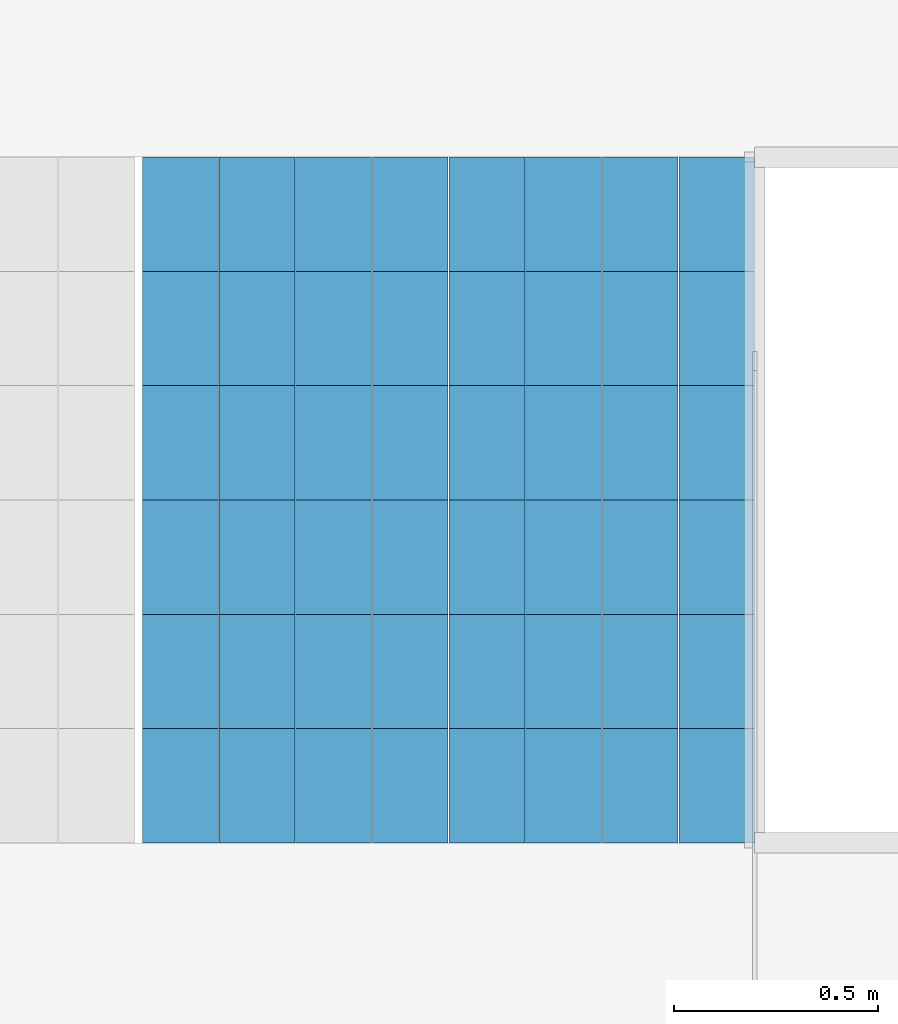
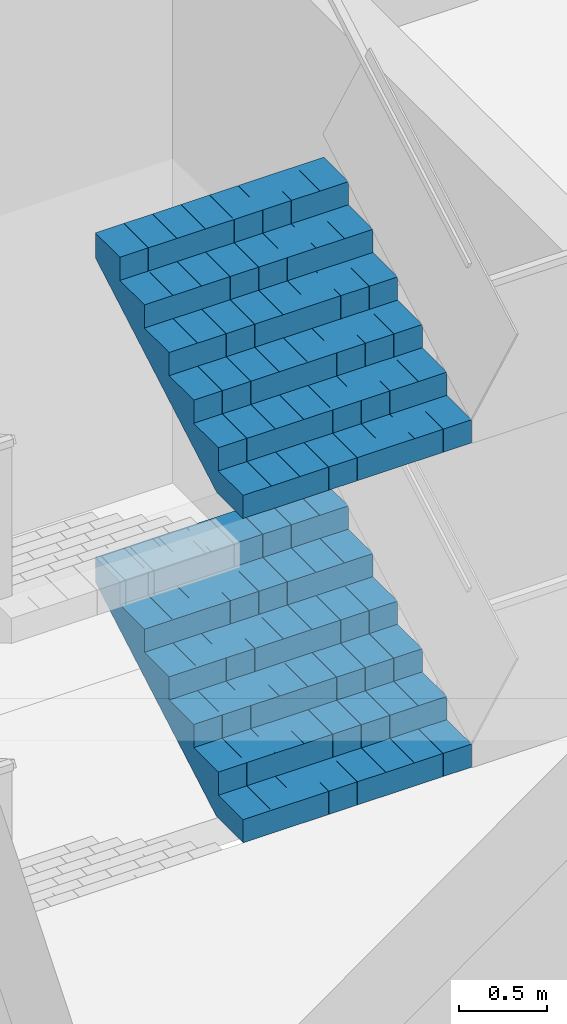
# One storey, part 24 of 27: 2 stair flights, 1 element without a shape of its own.
"""IFC4 building model written with IfcOpenShell, lengths in metres."""

from ifc_helpers import new_model, si_unit, direction, frame, origin, place, context, subcontext, project, spatial, polyline, outline, extrude, material, type_object, element, aggregate, save


model = new_model("IFC4")

# Units and contexts
model_context = context("Model", 3, precision=1e-05, world=origin(), true_north=direction((0.0, 1.0)))
body_context = subcontext(model_context, "Body", "Model", "MODEL_VIEW")
ifc_project = project(units=[si_unit("LENGTHUNIT", "METRE"), si_unit("AREAUNIT", "SQUARE_METRE"), si_unit("VOLUMEUNIT", "CUBIC_METRE"), si_unit("PLANEANGLEUNIT", "RADIAN"), si_unit("MASSUNIT", "GRAM", prefix="KILO")], contexts=[model_context])

# Site, building, storey
site_placement = place(None, origin())
site = spatial("IfcSite", under=ifc_project, at=site_placement, CompositionType="ELEMENT")
building_placement = place(site_placement, origin())
building = spatial("IfcBuilding", under=site, at=building_placement, Name="Kolab Exchange Tower", CompositionType="ELEMENT")
storey_placement = place(building_placement, frame((0.0, 0.0, 109.39990234375)))
storey = spatial("IfcBuildingStorey", under=building, at=storey_placement, Name="L21", CompositionType="ELEMENT", Elevation=109.39990234375)

# Stair, stair flights
ifc_material = material(Name="Concrete C50/60", Category="concrete")
stair_type = type_object("IfcStairType", Name="STAIR ST4 RISER 160.7", PredefinedType="DOUBLE_RETURN_STAIR", material=ifc_material)
stair_placement = place(storey_placement, origin())
stair = element("IfcStair", 1, at=stair_placement, inside=storey, type_object=stair_type, Name="Stair 4", PredefinedType="DOUBLE_RETURN_STAIR")
stair_flight_type = type_object("IfcStairFlightType", Name="STAIR FLIGHT 1500 RISER 160.7", PredefinedType="STRAIGHT", material=ifc_material)
stair_flight_1_placement = place(storey_placement, frame((19.9599609375, -1.030029296875, 1.125), z_axis=(0.0, 0.0, 1.0), x_axis=(0.0, 1.0, 0.0)))
stair_flight_1 = element("IfcStairFlight", 2, at=stair_flight_1_placement, type_object=stair_flight_type, Name="ST4 flight 2", NumberOfRisers=7, NumberOfTreads=6, PredefinedType="STRAIGHT", RiserHeight=0.160714286, TreadLength=0.28, context=body_context, shape_type="SweptSolid", body=[
    extrude(outline(polyline([(0.0, 0.0), (0.0, 0.16064453125), (0.280029296875, 0.16064453125), (0.280029296875, 0.321533203125), (0.56005859375, 0.321533203125), (0.56005859375, 0.482177734375), (0.840087890625, 0.482177734375), (0.840087890625, 0.642822265625), (1.1201171875, 0.642822265625), (1.1201171875, 0.803466796875), (1.39990234375, 0.803466796875), (1.39990234375, 0.96435546875), (1.679931640625, 0.96435546875), (1.679931640625, 1.125), (1.679931640625, 0.79150390625), (0.301025390625, 0.0), (0.0, 0.0)])), frame((0.0, 0.75, 0.0), z_axis=(0.0, -1.0, 0.0), x_axis=(1.0, 0.0, 0.0)), (0.0, 0.0, 1.0), 0.185791015625),
    extrude(outline(polyline([(0.0, 0.0), (0.0, 0.16064453125), (0.280029296875, 0.16064453125), (0.280029296875, 0.321533203125), (0.56005859375, 0.321533203125), (0.56005859375, 0.482177734375), (0.840087890625, 0.482177734375), (0.840087890625, 0.642822265625), (1.1201171875, 0.642822265625), (1.1201171875, 0.803466796875), (1.39990234375, 0.803466796875), (1.39990234375, 0.96435546875), (1.679931640625, 0.96435546875), (1.679931640625, 1.125), (1.679931640625, 0.79150390625), (0.301025390625, 0.0), (0.0, 0.0)])), frame((0.0, 0.562255859375, 0.0), z_axis=(0.0, -1.0, 0.0), x_axis=(1.0, 0.0, 0.0)), (0.0, 0.0, 1.0), 0.185791015625),
    extrude(outline(polyline([(0.0, 0.0), (0.0, 0.16064453125), (0.280029296875, 0.16064453125), (0.280029296875, 0.321533203125), (0.56005859375, 0.321533203125), (0.56005859375, 0.482177734375), (0.840087890625, 0.482177734375), (0.840087890625, 0.642822265625), (1.1201171875, 0.642822265625), (1.1201171875, 0.803466796875), (1.39990234375, 0.803466796875), (1.39990234375, 0.96435546875), (1.679931640625, 0.96435546875), (1.679931640625, 1.125), (1.679931640625, 0.79150390625), (0.301025390625, 0.0), (0.0, 0.0)])), frame((0.0, 0.37451171875, 0.0), z_axis=(0.0, -1.0, 0.0), x_axis=(1.0, 0.0, 0.0)), (0.0, 0.0, 1.0), 0.185791015625),
    extrude(outline(polyline([(0.0, 0.0), (0.0, 0.16064453125), (0.280029296875, 0.16064453125), (0.280029296875, 0.321533203125), (0.56005859375, 0.321533203125), (0.56005859375, 0.482177734375), (0.840087890625, 0.482177734375), (0.840087890625, 0.642822265625), (1.1201171875, 0.642822265625), (1.1201171875, 0.803466796875), (1.39990234375, 0.803466796875), (1.39990234375, 0.96435546875), (1.679931640625, 0.96435546875), (1.679931640625, 1.125), (1.679931640625, 0.79150390625), (0.301025390625, 0.0), (0.0, 0.0)])), frame((0.0, 0.186767578125, 0.0), z_axis=(0.0, -1.0, 0.0), x_axis=(1.0, 0.0, 0.0)), (0.0, 0.0, 1.0), 0.185791015625),
    extrude(outline(polyline([(0.0, 0.0), (0.0, 0.16064453125), (0.280029296875, 0.16064453125), (0.280029296875, 0.321533203125), (0.56005859375, 0.321533203125), (0.56005859375, 0.482177734375), (0.840087890625, 0.482177734375), (0.840087890625, 0.642822265625), (1.1201171875, 0.642822265625), (1.1201171875, 0.803466796875), (1.39990234375, 0.803466796875), (1.39990234375, 0.96435546875), (1.679931640625, 0.96435546875), (1.679931640625, 1.125), (1.679931640625, 0.79150390625), (0.301025390625, 0.0), (0.0, 0.0)])), frame((0.0, -0.0009765625, 0.0), z_axis=(0.0, -1.0, 0.0), x_axis=(1.0, 0.0, 0.0)), (0.0, 0.0, 1.0), 0.185791015625),
    extrude(outline(polyline([(0.0, 0.0), (0.0, 0.16064453125), (0.280029296875, 0.16064453125), (0.280029296875, 0.321533203125), (0.56005859375, 0.321533203125), (0.56005859375, 0.482177734375), (0.840087890625, 0.482177734375), (0.840087890625, 0.642822265625), (1.1201171875, 0.642822265625), (1.1201171875, 0.803466796875), (1.39990234375, 0.803466796875), (1.39990234375, 0.96435546875), (1.679931640625, 0.96435546875), (1.679931640625, 1.125), (1.679931640625, 0.79150390625), (0.301025390625, 0.0), (0.0, 0.0)])), frame((0.0, -0.188720703125, 0.0), z_axis=(0.0, -1.0, 0.0), x_axis=(1.0, 0.0, 0.0)), (0.0, 0.0, 1.0), 0.185791015625),
    extrude(outline(polyline([(0.0, 0.0), (0.0, 0.16064453125), (0.280029296875, 0.16064453125), (0.280029296875, 0.321533203125), (0.56005859375, 0.321533203125), (0.56005859375, 0.482177734375), (0.840087890625, 0.482177734375), (0.840087890625, 0.642822265625), (1.1201171875, 0.642822265625), (1.1201171875, 0.803466796875), (1.39990234375, 0.803466796875), (1.39990234375, 0.96435546875), (1.679931640625, 0.96435546875), (1.679931640625, 1.125), (1.679931640625, 0.79150390625), (0.301025390625, 0.0), (0.0, 0.0)])), frame((0.0, -0.37646484375, 0.0), z_axis=(0.0, -1.0, 0.0), x_axis=(1.0, 0.0, 0.0)), (0.0, 0.0, 1.0), 0.185791015625),
    extrude(outline(polyline([(0.0, 0.0), (0.0, 0.16064453125), (0.280029296875, 0.16064453125), (0.280029296875, 0.321533203125), (0.56005859375, 0.321533203125), (0.56005859375, 0.482177734375), (0.840087890625, 0.482177734375), (0.840087890625, 0.642822265625), (1.1201171875, 0.642822265625), (1.1201171875, 0.803466796875), (1.39990234375, 0.803466796875), (1.39990234375, 0.96435546875), (1.679931640625, 0.96435546875), (1.679931640625, 1.125), (1.679931640625, 0.79150390625), (0.301025390625, 0.0), (0.0, 0.0)])), frame((0.0, -0.564208984375, 0.0), z_axis=(0.0, -1.0, 0.0), x_axis=(1.0, 0.0, 0.0)), (0.0, 0.0, 1.0), 0.185791015625),
])
stair_flight_2_placement = place(storey_placement, frame((19.9599609375, -1.030029296875, 3.375), z_axis=(0.0, 0.0, 1.0), x_axis=(0.0, 1.0, 0.0)))
stair_flight_2 = element("IfcStairFlight", 3, at=stair_flight_2_placement, type_object=stair_flight_type, Name="ST4 flight 4", NumberOfRisers=7, NumberOfTreads=6, PredefinedType="STRAIGHT", RiserHeight=0.160714286, TreadLength=0.28, context=body_context, shape_type="SweptSolid", body=[
    extrude(outline(polyline([(0.0, 0.0), (0.0, 0.16064453125), (0.280029296875, 0.16064453125), (0.280029296875, 0.321533203125), (0.56005859375, 0.321533203125), (0.56005859375, 0.482177734375), (0.840087890625, 0.482177734375), (0.840087890625, 0.642822265625), (1.1201171875, 0.642822265625), (1.1201171875, 0.803466796875), (1.39990234375, 0.803466796875), (1.39990234375, 0.96435546875), (1.679931640625, 0.96435546875), (1.679931640625, 1.125), (1.679931640625, 0.79150390625), (0.301025390625, 0.0), (0.0, 0.0)])), frame((0.0, 0.75, 0.0), z_axis=(0.0, -1.0, 0.0), x_axis=(1.0, 0.0, 0.0)), (0.0, 0.0, 1.0), 0.185791015625),
    extrude(outline(polyline([(0.0, 0.0), (0.0, 0.16064453125), (0.280029296875, 0.16064453125), (0.280029296875, 0.321533203125), (0.56005859375, 0.321533203125), (0.56005859375, 0.482177734375), (0.840087890625, 0.482177734375), (0.840087890625, 0.642822265625), (1.1201171875, 0.642822265625), (1.1201171875, 0.803466796875), (1.39990234375, 0.803466796875), (1.39990234375, 0.96435546875), (1.679931640625, 0.96435546875), (1.679931640625, 1.125), (1.679931640625, 0.79150390625), (0.301025390625, 0.0), (0.0, 0.0)])), frame((0.0, 0.562255859375, 0.0), z_axis=(0.0, -1.0, 0.0), x_axis=(1.0, 0.0, 0.0)), (0.0, 0.0, 1.0), 0.185791015625),
    extrude(outline(polyline([(0.0, 0.0), (0.0, 0.16064453125), (0.280029296875, 0.16064453125), (0.280029296875, 0.321533203125), (0.56005859375, 0.321533203125), (0.56005859375, 0.482177734375), (0.840087890625, 0.482177734375), (0.840087890625, 0.642822265625), (1.1201171875, 0.642822265625), (1.1201171875, 0.803466796875), (1.39990234375, 0.803466796875), (1.39990234375, 0.96435546875), (1.679931640625, 0.96435546875), (1.679931640625, 1.125), (1.679931640625, 0.79150390625), (0.301025390625, 0.0), (0.0, 0.0)])), frame((0.0, 0.37451171875, 0.0), z_axis=(0.0, -1.0, 0.0), x_axis=(1.0, 0.0, 0.0)), (0.0, 0.0, 1.0), 0.185791015625),
    extrude(outline(polyline([(0.0, 0.0), (0.0, 0.16064453125), (0.280029296875, 0.16064453125), (0.280029296875, 0.321533203125), (0.56005859375, 0.321533203125), (0.56005859375, 0.482177734375), (0.840087890625, 0.482177734375), (0.840087890625, 0.642822265625), (1.1201171875, 0.642822265625), (1.1201171875, 0.803466796875), (1.39990234375, 0.803466796875), (1.39990234375, 0.96435546875), (1.679931640625, 0.96435546875), (1.679931640625, 1.125), (1.679931640625, 0.79150390625), (0.301025390625, 0.0), (0.0, 0.0)])), frame((0.0, 0.186767578125, 0.0), z_axis=(0.0, -1.0, 0.0), x_axis=(1.0, 0.0, 0.0)), (0.0, 0.0, 1.0), 0.185791015625),
    extrude(outline(polyline([(0.0, 0.0), (0.0, 0.16064453125), (0.280029296875, 0.16064453125), (0.280029296875, 0.321533203125), (0.56005859375, 0.321533203125), (0.56005859375, 0.482177734375), (0.840087890625, 0.482177734375), (0.840087890625, 0.642822265625), (1.1201171875, 0.642822265625), (1.1201171875, 0.803466796875), (1.39990234375, 0.803466796875), (1.39990234375, 0.96435546875), (1.679931640625, 0.96435546875), (1.679931640625, 1.125), (1.679931640625, 0.79150390625), (0.301025390625, 0.0), (0.0, 0.0)])), frame((0.0, -0.0009765625, 0.0), z_axis=(0.0, -1.0, 0.0), x_axis=(1.0, 0.0, 0.0)), (0.0, 0.0, 1.0), 0.185791015625),
    extrude(outline(polyline([(0.0, 0.0), (0.0, 0.16064453125), (0.280029296875, 0.16064453125), (0.280029296875, 0.321533203125), (0.56005859375, 0.321533203125), (0.56005859375, 0.482177734375), (0.840087890625, 0.482177734375), (0.840087890625, 0.642822265625), (1.1201171875, 0.642822265625), (1.1201171875, 0.803466796875), (1.39990234375, 0.803466796875), (1.39990234375, 0.96435546875), (1.679931640625, 0.96435546875), (1.679931640625, 1.125), (1.679931640625, 0.79150390625), (0.301025390625, 0.0), (0.0, 0.0)])), frame((0.0, -0.188720703125, 0.0), z_axis=(0.0, -1.0, 0.0), x_axis=(1.0, 0.0, 0.0)), (0.0, 0.0, 1.0), 0.185791015625),
    extrude(outline(polyline([(0.0, 0.0), (0.0, 0.16064453125), (0.280029296875, 0.16064453125), (0.280029296875, 0.321533203125), (0.56005859375, 0.321533203125), (0.56005859375, 0.482177734375), (0.840087890625, 0.482177734375), (0.840087890625, 0.642822265625), (1.1201171875, 0.642822265625), (1.1201171875, 0.803466796875), (1.39990234375, 0.803466796875), (1.39990234375, 0.96435546875), (1.679931640625, 0.96435546875), (1.679931640625, 1.125), (1.679931640625, 0.79150390625), (0.301025390625, 0.0), (0.0, 0.0)])), frame((0.0, -0.37646484375, 0.0), z_axis=(0.0, -1.0, 0.0), x_axis=(1.0, 0.0, 0.0)), (0.0, 0.0, 1.0), 0.185791015625),
    extrude(outline(polyline([(0.0, 0.0), (0.0, 0.16064453125), (0.280029296875, 0.16064453125), (0.280029296875, 0.321533203125), (0.56005859375, 0.321533203125), (0.56005859375, 0.482177734375), (0.840087890625, 0.482177734375), (0.840087890625, 0.642822265625), (1.1201171875, 0.642822265625), (1.1201171875, 0.803466796875), (1.39990234375, 0.803466796875), (1.39990234375, 0.96435546875), (1.679931640625, 0.96435546875), (1.679931640625, 1.125), (1.679931640625, 0.79150390625), (0.301025390625, 0.0), (0.0, 0.0)])), frame((0.0, -0.564208984375, 0.0), z_axis=(0.0, -1.0, 0.0), x_axis=(1.0, 0.0, 0.0)), (0.0, 0.0, 1.0), 0.185791015625),
])
aggregate(stair, [stair_flight_1, stair_flight_2])

save(model, "model.ifc")
